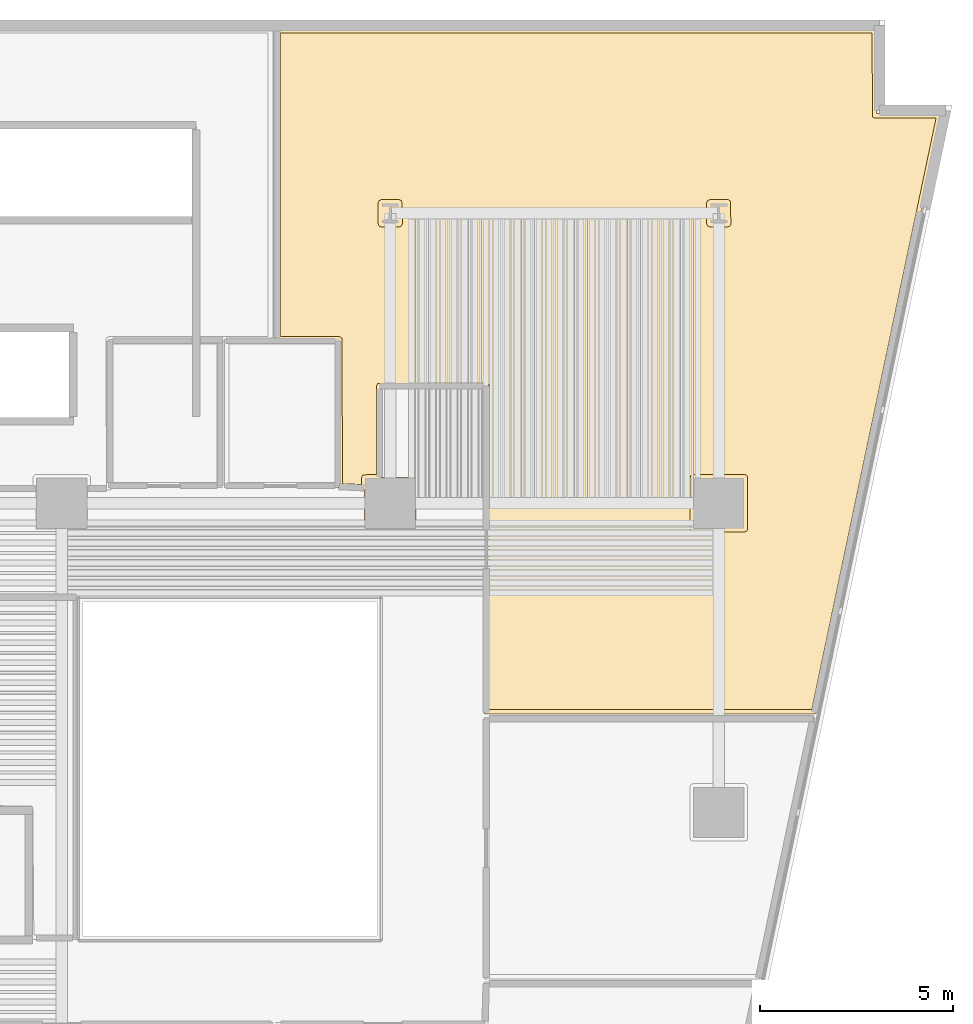
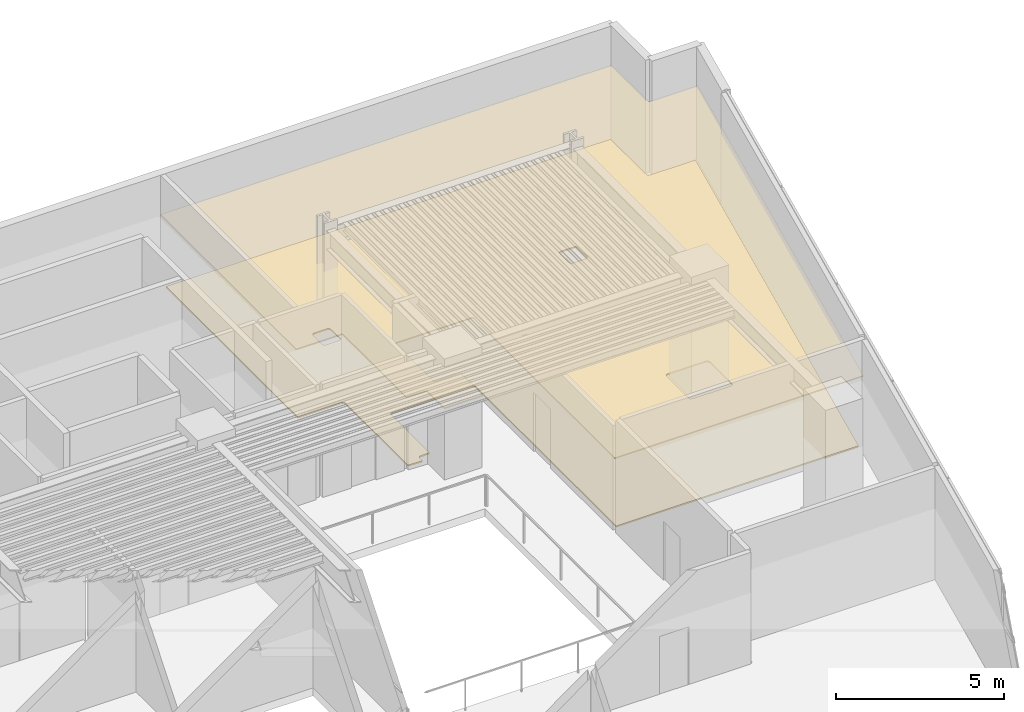
# One storey, part 12 of 12: 2 coverings.
"""IFC4 building model written with IfcOpenShell, lengths in metres."""

from ifc_helpers import new_model, si_unit, direction, frame, origin, place, context, subcontext, project, spatial, polyline, outline, extrude, material, layer, layer_set, type_object, element, save


model = new_model("IFC4")

# Units and contexts
model_context = context("Model", 3, precision=1e-05, world=origin(), true_north=direction((0.0, 1.0)))
body_context = subcontext(model_context, "Body", "Model", "MODEL_VIEW")
ifc_project = project(units=[si_unit("LENGTHUNIT", "METRE"), si_unit("AREAUNIT", "SQUARE_METRE"), si_unit("VOLUMEUNIT", "CUBIC_METRE"), si_unit("PLANEANGLEUNIT", "RADIAN"), si_unit("MASSUNIT", "GRAM", prefix="KILO")], contexts=[model_context])

# Site, building, storey
site_placement = place(None, origin())
site = spatial("IfcSite", under=ifc_project, at=site_placement, CompositionType="ELEMENT")
building_placement = place(site_placement, origin())
building = spatial("IfcBuilding", under=site, at=building_placement, Name="Caeloran Harvest Quay", CompositionType="ELEMENT")
storey_placement = place(building_placement, frame((0.0, 0.0, 84.199951171875)))
storey = spatial("IfcBuildingStorey", under=building, at=storey_placement, Name="L19", CompositionType="ELEMENT", Elevation=84.199951171875)

# Coverings
ifc_material_1 = material(Name="Perforated Mineral-Fibre Acoustic Ceiling Tile", Category="ceiling")
ifc_layer_1 = layer(ifc_material_1, 0.0400390625, Name="Perforated Mineral-Fibre Acoustic Ceiling Tile")
ifc_layer_set_1 = layer_set([ifc_layer_1], Name="Perforated Mineral-Fibre Acoustic Ceiling Tile")
covering_type_1 = type_object("IfcCoveringType", Name="COV-CEILING-ACOUSTIC", PredefinedType="CEILING", material=ifc_layer_set_1)
covering_1_placement = place(storey_placement, frame((0.0, 0.0, 2.60009765625)))
element("IfcCovering", 1, at=covering_1_placement, inside=storey, type_object=covering_type_1, Name="Gastronomy Seminar Room 11 Acoustic Ceiling", PredefinedType="CEILING", context=body_context, shape_type="SweptSolid", body=[
    extrude(outline(polyline([(41.830078125, 31.3583984375), (41.139892578125, 31.390625), (41.139892578125, 35.18994140625), (39.5400390625, 35.18994140625), (39.5400390625, 43.280029296875), (55.080078125, 43.280029296875), (55.080078125, 41.080078125), (56.766845703125, 41.080078125), (53.502197265625, 25.5400390625), (44.93994140625, 25.5400390625), (44.93994140625, 33.989990234375), (42.260009765625, 33.989990234375), (42.260009765625, 31.669921875), (43.169921875, 31.669921875), (43.169921875, 30.330078125), (41.830078125, 30.330078125), (41.830078125, 31.3583984375)])), origin(), (0.0, 0.0, 1.0), 0.0400390625),
])
ifc_material_2 = material(Name="Calcium-Sulphate Raised Access Floor and Terrazzo Finish", Category="flooring")
ifc_layer_2 = layer(ifc_material_2, 0.050048828125, Name="Calcium-Sulphate Raised Access Floor and Terrazzo Finish")
ifc_layer_set_2 = layer_set([ifc_layer_2], Name="Calcium-Sulphate Raised Access Floor and Terrazzo Finish")
covering_type_2 = type_object("IfcCoveringType", Name="COV-FLOOR-RAISED", PredefinedType="FLOORING", material=ifc_layer_set_2)
covering_2_placement = place(storey_placement, origin())
element("IfcCovering", 2, at=covering_2_placement, inside=storey, type_object=covering_type_2, Name="Gastronomy Seminar Room 11 Raised Finish Flooring", PredefinedType="FLOORING", context=body_context, shape_type="SweptSolid", body=[
    extrude(outline(polyline([(39.659912109375, 35.31005859375), (39.659912109375, 43.159912109375), (54.9599609375, 43.159912109375), (54.978271484375, 40.9892578125), (55.0400390625, 40.9599609375), (56.618896484375, 40.9599609375), (53.40478515625, 25.659912109375), (45.06005859375, 25.659912109375), (45.050537109375, 34.067626953125), (44.97998046875, 34.110107421875), (42.175537109375, 34.096435546875), (42.139892578125, 34.030029296875), (42.139892578125, 31.7451171875), (41.79052734375, 31.7314453125), (41.75537109375, 31.6728515625), (41.7548828125, 31.48193359375), (41.260009765625, 31.505126953125), (41.25390625, 35.260498046875), (41.179931640625, 35.31005859375), (39.659912109375, 35.31005859375)]), holes=[polyline([(51.7451171875, 31.6650390625), (51.7216796875, 31.7216796875), (51.6650390625, 31.7451171875), (50.3349609375, 31.7451171875), (50.2783203125, 31.7216796875), (50.2548828125, 31.6650390625), (50.2548828125, 30.3349609375), (50.2783203125, 30.2783203125), (50.3349609375, 30.2548828125), (51.6650390625, 30.2548828125), (51.7216796875, 30.2783203125), (51.7451171875, 30.3349609375), (51.7451171875, 31.6650390625)]), polyline([(51.3134765625, 38.22802734375), (51.29541015625, 38.82275390625), (51.2412109375, 38.8515625), (50.7666015625, 38.85205078125), (50.7099609375, 38.82861328125), (50.6865234375, 38.77197265625), (50.6865234375, 38.22802734375), (50.7099609375, 38.17138671875), (50.7666015625, 38.14794921875), (51.2333984375, 38.14794921875), (51.2900390625, 38.17138671875), (51.3134765625, 38.22802734375)]), polyline([(42.8134765625, 38.22802734375), (42.79541015625, 38.82275390625), (42.7412109375, 38.8515625), (42.2666015625, 38.85205078125), (42.2099609375, 38.82861328125), (42.1865234375, 38.77197265625), (42.1865234375, 38.22802734375), (42.2099609375, 38.17138671875), (42.2666015625, 38.14794921875), (42.7333984375, 38.14794921875), (42.7900390625, 38.17138671875), (42.8134765625, 38.22802734375)])]), origin(), (0.0, 0.0, 1.0), 0.050048828125),
])

save(model, "model.ifc")
